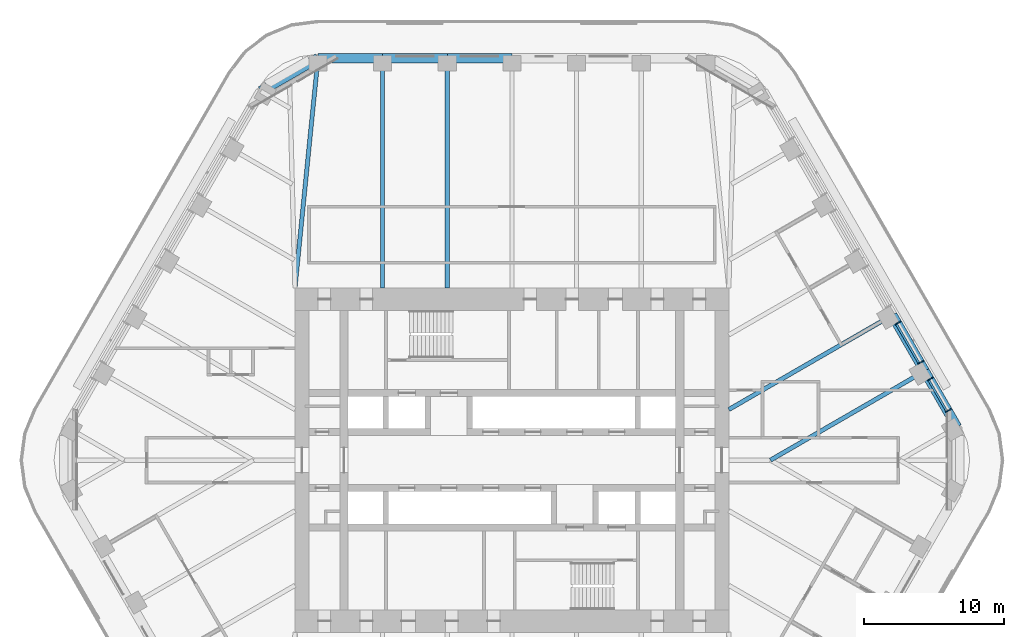
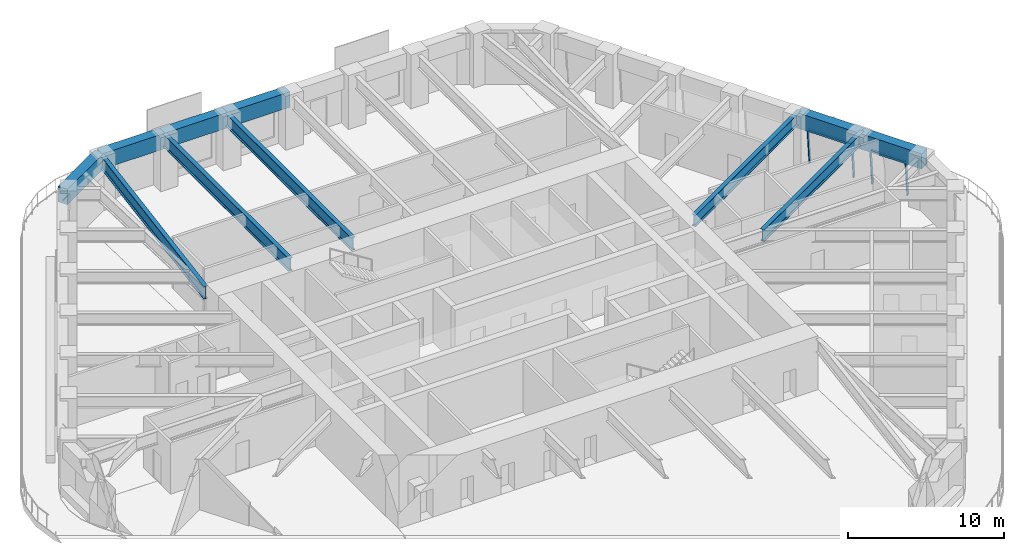
# One storey, part 9 of 20: 11 beams, 6 members, 2 elements without a shape of their own.
"""IFC4 building model written with IfcOpenShell, lengths in metres."""

from ifc_helpers import new_model, si_unit, direction, frame, origin, origin_2d, place, context, subcontext, project, spatial, rectangle, i_section, extrude, material, material_profile, profile_set, type_object, element, aggregate, save


model = new_model("IFC4")

# Units and contexts
model_context = context("Model", 3, precision=1e-05, world=origin(), true_north=direction((0.0, 1.0)))
body_context = subcontext(model_context, "Body", "Model", "MODEL_VIEW")
ifc_project = project(units=[si_unit("LENGTHUNIT", "METRE"), si_unit("AREAUNIT", "SQUARE_METRE"), si_unit("VOLUMEUNIT", "CUBIC_METRE"), si_unit("PLANEANGLEUNIT", "RADIAN"), si_unit("MASSUNIT", "GRAM", prefix="KILO")], contexts=[model_context])

# Site, building, storey
site_placement = place(None, origin())
site = spatial("IfcSite", under=ifc_project, at=site_placement, CompositionType="ELEMENT")
building_placement = place(site_placement, origin())
building = spatial("IfcBuilding", under=site, at=building_placement, Name="Tarfa Lantern Tower", CompositionType="ELEMENT")
storey_placement = place(building_placement, frame((0.0, 0.0, 244.89990234375)))
storey = spatial("IfcBuildingStorey", under=building, at=storey_placement, Name="L55", CompositionType="ELEMENT", Elevation=244.89990234375)

# Curtain wall, members
ifc_material_1 = material(Name="Aluminium framed curtain wall", Category="aluminium")
curtain_wall_type = type_object("IfcCurtainWallType", Name="CW3 CANTED GLAZING HIGH ZONE 2800", PredefinedType="USERDEFINED", material=ifc_material_1)
curtain_wall_1_placement = place(storey_placement, origin())
curtain_wall_1 = element("IfcCurtainWall", 1, at=curtain_wall_1_placement, inside=storey, type_object=curtain_wall_type, Name="CW3 NE L55", ObjectType="CURTAIN WALL", PredefinedType="USERDEFINED")
ifc_material_2 = material(Name="Aluminium mullion", Category="aluminium")
ifc_material_profile_1 = material_profile(ifc_material_2, rectangle(XDim=0.06494140625, YDim=0.199951171875, at=origin_2d()), Name="AL MULLION 65x200")
ifc_profile_set_1 = profile_set([ifc_material_profile_1], Name="Aluminium mullion")
member_type_1 = type_object("IfcMemberType", Name="CWM1 MULLION 65x200", PredefinedType="MULLION", material=ifc_profile_set_1)
member_1_placement = place(storey_placement, frame((31.2900390625, 3.60400390625, 0.0), z_axis=(-0.077032386753, -0.044465143199, 0.996036576854), x_axis=(0.499919672301, -0.866071776036, 0.0)))
member_1 = element("IfcMember", 2, at=member_1_placement, type_object=member_type_1, Name="CW3 mullion 1", PredefinedType="MULLION", context=body_context, shape_type="SweptSolid", body=[
    extrude(rectangle(XDim=0.06494140625, YDim=0.199951171875, at=origin_2d()), origin(), (0.0, 0.0, 1.0), 2.811279296875),
])
member_2_placement = place(storey_placement, frame((29.98828125, 5.85888671875, 0.0), z_axis=(-0.077032386753, -0.044465143199, 0.996036576854), x_axis=(0.499919672301, -0.866071776036, 0.0)))
member_2 = element("IfcMember", 3, at=member_2_placement, type_object=member_type_1, Name="CW3 mullion 2", PredefinedType="MULLION", context=body_context, shape_type="SweptSolid", body=[
    extrude(rectangle(XDim=0.06494140625, YDim=0.199951171875, at=origin_2d()), origin(), (0.0, 0.0, 1.0), 2.811279296875),
])

curtain_wall_2_placement = place(storey_placement, origin())
curtain_wall_2 = element("IfcCurtainWall", 4, at=curtain_wall_2_placement, inside=storey, type_object=curtain_wall_type, Name="CW3 NE L55", ObjectType="CURTAIN WALL", PredefinedType="USERDEFINED")
member_3_placement = place(storey_placement, frame((29.3056640625, 7.041015625, 0.0), z_axis=(-0.077032386753, -0.044465143199, 0.996036576854), x_axis=(0.499919672301, -0.866071776036, 0.0)))
member_3 = element("IfcMember", 5, at=member_3_placement, type_object=member_type_1, Name="CW3 mullion 1", PredefinedType="MULLION", context=body_context, shape_type="SweptSolid", body=[
    extrude(rectangle(XDim=0.06494140625, YDim=0.199951171875, at=origin_2d()), origin(), (0.0, 0.0, 1.0), 2.811279296875),
])
member_4_placement = place(storey_placement, frame((27.6787109375, 9.85888671875, 0.0), z_axis=(-0.077032386753, -0.044465143199, 0.996036576854), x_axis=(0.499919672301, -0.866071776036, 0.0)))
member_4 = element("IfcMember", 6, at=member_4_placement, type_object=member_type_1, Name="CW3 mullion 2", PredefinedType="MULLION", context=body_context, shape_type="SweptSolid", body=[
    extrude(rectangle(XDim=0.06494140625, YDim=0.199951171875, at=origin_2d()), origin(), (0.0, 0.0, 1.0), 2.811279296875),
])

# Member
ifc_material_3 = material(Name="Aluminium transom", Category="aluminium")
ifc_material_profile_2 = material_profile(ifc_material_3, rectangle(XDim=0.14990234375, YDim=0.06494140625, at=origin_2d()), Name="AL TRANSOM 150x65")
ifc_profile_set_2 = profile_set([ifc_material_profile_2], Name="Aluminium transom")
member_type_2 = type_object("IfcMemberType", Name="CWT1 TRANSOM 150x65", PredefinedType="USERDEFINED", material=ifc_profile_set_2)
member_5_placement = place(storey_placement, frame((31.059814453125, 3.508544921875, 2.767578125), z_axis=(-0.499955533855, 0.866051074803, 0.0), x_axis=(-0.866051074803, -0.499955533855, 0.0)))
member_5 = element("IfcMember", 7, at=member_5_placement, type_object=member_type_2, Name="CW3 transom 1.2", ObjectType="TRANSOM", PredefinedType="USERDEFINED", context=body_context, shape_type="SweptSolid", body=[
    extrude(rectangle(XDim=0.14990234375, YDim=0.06494140625, at=origin_2d()), origin(), (0.0, 0.0, 1.0), 2.538818359375),
])

aggregate(curtain_wall_1, [member_1, member_2, member_5])

member_6_placement = place(storey_placement, frame((29.075439453125, 6.945556640625, 2.767578125), z_axis=(-0.500000789788, 0.8660249478, 0.0), x_axis=(-0.8660249478, -0.500000789788, 0.0)))
member_6 = element("IfcMember", 8, at=member_6_placement, type_object=member_type_2, Name="CW3 transom 1.2", ObjectType="TRANSOM", PredefinedType="USERDEFINED", context=body_context, shape_type="SweptSolid", body=[
    extrude(rectangle(XDim=0.14990234375, YDim=0.06494140625, at=origin_2d()), origin(), (0.0, 0.0, 1.0), 3.18896484375),
])

aggregate(curtain_wall_2, [member_3, member_4, member_6])

# Beams
ifc_material_4 = material(Name="Concrete C80/95", Category="concrete")
ifc_material_profile_3 = material_profile(ifc_material_4, rectangle(XDim=0.699951171875, YDim=1.199951171875, at=origin_2d()), Name="RC 700x1200")
ifc_profile_set_3 = profile_set([ifc_material_profile_3], Name="Concrete C80/95")
beam_type_1 = type_object("IfcBeamType", Name="EB3 RC 700x1200", PredefinedType="SPANDREL", material=ifc_profile_set_3)
beam_1_placement = place(storey_placement, frame((31.800537109375, 2.360107421875, 3.400146484375), z_axis=(-0.500027479704, 0.866009537788, 0.0), x_axis=(-0.866009537788, -0.500027479704, 0.0)))
element("IfcBeam", 9, at=beam_1_placement, inside=storey, type_object=beam_type_1, Name="Edge beam NE0", PredefinedType="SPANDREL", context=body_context, shape_type="SweptSolid", body=[
    extrude(rectangle(XDim=0.699951171875, YDim=1.199951171875, at=origin_2d()), origin(), (0.0, 0.0, 1.0), 4.618896484375),
])
beam_2_placement = place(storey_placement, frame((29.490966796875, 6.360107421875, 3.400146484375), z_axis=(-0.499987836815, 0.866032426089, 0.0), x_axis=(-0.866032426089, -0.499987836815, 0.0)))
element("IfcBeam", 10, at=beam_2_placement, inside=storey, type_object=beam_type_1, Name="Edge beam NE1", PredefinedType="SPANDREL", context=body_context, shape_type="SweptSolid", body=[
    extrude(rectangle(XDim=0.699951171875, YDim=1.199951171875, at=origin_2d()), origin(), (0.0, 0.0, 1.0), 4.61865234375),
])
beam_3_placement = place(storey_placement, frame((0.0, 28.719970703125, 3.400146484375), z_axis=(-1.0, 0.0, 0.0), x_axis=(0.0, -1.0, 0.0)))
element("IfcBeam", 11, at=beam_3_placement, inside=storey, type_object=beam_type_1, Name="Edge beam N3", PredefinedType="SPANDREL", context=body_context, shape_type="SweptSolid", body=[
    extrude(rectangle(XDim=0.699951171875, YDim=1.199951171875, at=origin_2d()), origin(), (0.0, 0.0, 1.0), 4.618896484375),
])
beam_4_placement = place(storey_placement, frame((-4.618896484375, 28.719970703125, 3.400146484375), z_axis=(-1.0, 0.0, 0.0), x_axis=(0.0, -1.0, 0.0)))
element("IfcBeam", 12, at=beam_4_placement, inside=storey, type_object=beam_type_1, Name="Edge beam N4", PredefinedType="SPANDREL", context=body_context, shape_type="SweptSolid", body=[
    extrude(rectangle(XDim=0.699951171875, YDim=1.199951171875, at=origin_2d()), origin(), (0.0, 0.0, 1.0), 4.61865234375),
])
beam_5_placement = place(storey_placement, frame((-9.237548828125, 28.719970703125, 3.400146484375), z_axis=(-1.0, 0.0, 0.0), x_axis=(0.0, -1.0, 0.0)))
element("IfcBeam", 13, at=beam_5_placement, inside=storey, type_object=beam_type_1, Name="Edge beam N5", PredefinedType="SPANDREL", context=body_context, shape_type="SweptSolid", body=[
    extrude(rectangle(XDim=0.699951171875, YDim=1.199951171875, at=origin_2d()), origin(), (0.0, 0.0, 1.0), 4.618896484375),
])
beam_6_placement = place(storey_placement, frame((-13.8564453125, 28.719970703125, 3.400146484375), z_axis=(-0.866038294681, -0.499977671647, 0.0), x_axis=(0.499977671647, -0.866038294681, 0.0)))
element("IfcBeam", 14, at=beam_6_placement, inside=storey, type_object=beam_type_1, Name="Edge beam N6", PredefinedType="SPANDREL", context=body_context, shape_type="SweptSolid", body=[
    extrude(rectangle(XDim=0.699951171875, YDim=1.199951171875, at=origin_2d()), origin(), (0.0, 0.0, 1.0), 4.719970703125),
])
ifc_material_5 = material(Name="Steel S460M", Category="steel")
ifc_material_profile_4 = material_profile(ifc_material_5, i_section(OverallWidth=0.302001953125, OverallDepth=1.008056640625, WebThickness=0.02099609375, FlangeThickness=0.0400390625, FilletRadius=0.030029296875, at=origin_2d()), Name="UB1016x305x349")
ifc_profile_set_4 = profile_set([ifc_material_profile_4], Name="Steel S460M")
beam_type_2 = type_object("IfcBeamType", Name="UB1016x305x349", PredefinedType="BEAM", material=ifc_profile_set_4)
for number, where, z_axis, x_axis, name in (
    (15, (-4.618896484375, 28.719970703125, 3.49609375), (0.0, -1.0, 0.0), (1.0, 0.0, 0.0), "Floor beam N4"),
    (16, (-9.237548828125, 28.719970703125, 3.49609375), (0.0, -1.0, 0.0), (1.0, 0.0, 0.0), "Floor beam N5"),
):
    element("IfcBeam", number, at=place(storey_placement, frame(where, z_axis=z_axis, x_axis=x_axis)), inside=storey, type_object=beam_type_2, Name=name, PredefinedType="BEAM", context=body_context, shape_type="SweptSolid", body=[
        extrude(i_section(OverallWidth=0.302001953125, OverallDepth=1.008056640625, WebThickness=0.02099609375, FlangeThickness=0.0400390625, FilletRadius=0.030029296875, at=origin_2d()), origin(), (0.0, 0.0, 1.0), 16.419921875),
    ])
beam_7_placement = place(storey_placement, frame((-13.8564453125, 28.719970703125, 3.49609375), z_axis=(-0.099597466746, -0.995027810977, 0.0), x_axis=(0.995027810977, -0.099597466746, 0.0)))
element("IfcBeam", 17, at=beam_7_placement, inside=storey, type_object=beam_type_2, Name="Floor beam N6", PredefinedType="BEAM", context=body_context, shape_type="SweptSolid", body=[
    extrude(i_section(OverallWidth=0.302001953125, OverallDepth=1.008056640625, WebThickness=0.02099609375, FlangeThickness=0.0400390625, FilletRadius=0.030029296875, at=origin_2d()), origin(), (0.0, 0.0, 1.0), 16.501953125),
])
ifc_material_profile_5 = material_profile(ifc_material_5, i_section(OverallWidth=0.305419921875, OverallDepth=0.91845703125, WebThickness=0.017333984375, FlangeThickness=0.02783203125, FilletRadius=0.01904296875, at=origin_2d()), Name="UB914x305x253")
ifc_profile_set_5 = profile_set([ifc_material_profile_5], Name="Steel S460M")
beam_type_3 = type_object("IfcBeamType", Name="UB914x305x253", PredefinedType="BEAM", material=ifc_profile_set_5)
beam_8_placement = place(storey_placement, frame((29.490966796875, 6.360107421875, 3.541015625), z_axis=(-0.866022258038, -0.500005448553, 0.0), x_axis=(0.500005448553, -0.866022258038, 0.0)))
element("IfcBeam", 18, at=beam_8_placement, inside=storey, type_object=beam_type_3, Name="Floor beam NE1", PredefinedType="BEAM", context=body_context, shape_type="SweptSolid", body=[
    extrude(i_section(OverallWidth=0.305419921875, OverallDepth=0.91845703125, WebThickness=0.017333984375, FlangeThickness=0.02783203125, FilletRadius=0.01904296875, at=origin_2d()), origin(), (0.0, 0.0, 1.0), 12.719970703125),
])
beam_9_placement = place(storey_placement, frame((27.181640625, 10.360107421875, 3.541015625), z_axis=(-0.866018002818, -0.500012818631, 0.0), x_axis=(0.500012818631, -0.866018002818, 0.0)))
element("IfcBeam", 19, at=beam_9_placement, inside=storey, type_object=beam_type_3, Name="Floor beam NE2", PredefinedType="BEAM", context=body_context, shape_type="SweptSolid", body=[
    extrude(i_section(OverallWidth=0.305419921875, OverallDepth=0.91845703125, WebThickness=0.017333984375, FlangeThickness=0.02783203125, FilletRadius=0.01904296875, at=origin_2d()), origin(), (0.0, 0.0, 1.0), 13.489013671875),
])

save(model, "model.ifc")
